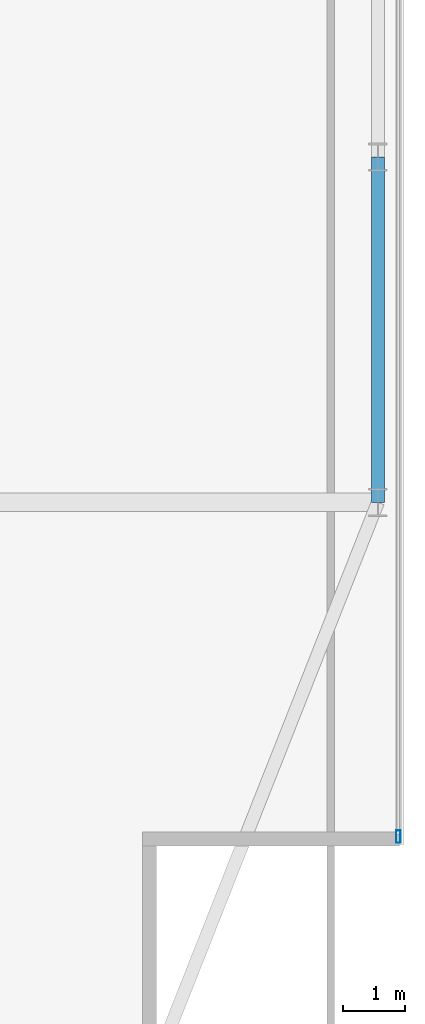
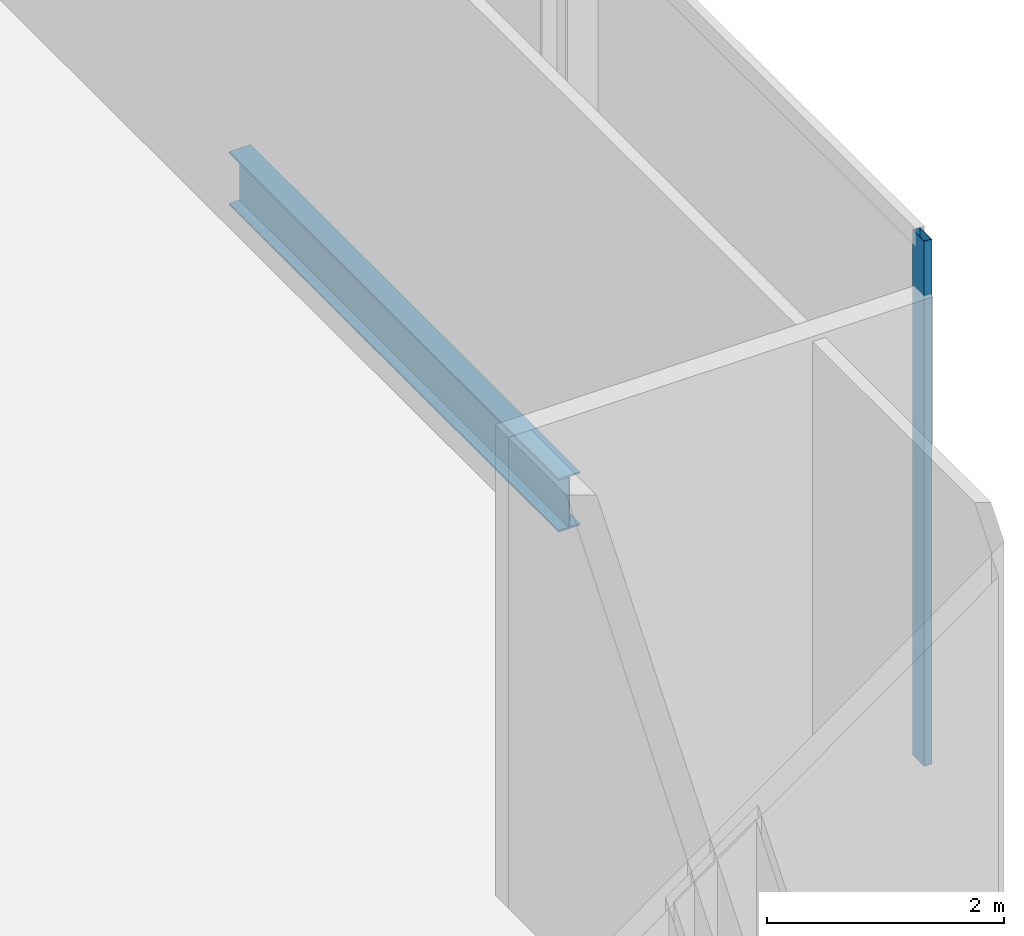
# One storey, part 15 of 26: 1 beam, 1 member, 1 element without a shape of its own.
"""IFC4 building model written with IfcOpenShell, lengths in metres."""

import ifcopenshell
import ifcopenshell.guid

model = None  # the IFC model being written
_history = None  # IfcOwnerHistory: only IFC2X3 demands one
_inside = {}  # id of a spatial element -> (the spatial element, [elements in it])
_under = {}  # id of a project, library or spatial element -> (it, [spatial elements below it])
_declared = {}  # id of a project -> (the project, [libraries it declares])
_typed = {}  # id of a type object -> (the type object, [elements of that type])
_made_of = {}  # id of a material, layer set ... -> (it, [elements and type objects made of it])


def new_model(schema):
    """Start an empty IFC model of exactly this schema.

    Asked for "IFC4X3", IfcOpenShell would pick the latest addendum, in which some entities
    have other attributes; the version numbers below select the first issue.
    IFC2X3 requires an IfcOwnerHistory on every rooted entity: one is made here for all.
    """
    global model, _history
    if schema == "IFC4X3":
        model = ifcopenshell.file(schema_version=(4, 3, 0, 0))
    else:
        model = ifcopenshell.file(schema=schema)
    _inside.clear()
    _under.clear()
    _declared.clear()
    _typed.clear()
    _made_of.clear()
    _history = None
    if model.schema == "IFC2X3":
        org = make("IfcOrganization", Name="unknown")
        user = make(
            "IfcPersonAndOrganization",
            ThePerson=make("IfcPerson", FamilyName="unknown"),
            TheOrganization=org,
        )
        app = make(
            "IfcApplication",
            ApplicationDeveloper=org,
            Version="unknown",
            ApplicationFullName="unknown",
            ApplicationIdentifier="unknown",
        )
        _history = make(
            "IfcOwnerHistory",
            OwningUser=user,
            OwningApplication=app,
            ChangeAction="ADDED",
            CreationDate=0,
        )
    return model


def make(cls, **values):
    """One entity of the class cls with the attributes given. An attribute that is None is left unset."""
    return model.create_entity(
        cls, **{name: value for name, value in values.items() if value is not None}
    )


def rooted(cls, **values):
    """An entity with a GlobalId (a new one), such as an element, a storey or a relation."""
    return make(cls, GlobalId=ifcopenshell.guid.new(), OwnerHistory=_history, **values)


def si_unit(unit_type, name, prefix=None):
    """IfcSIUnit, for example si_unit("LENGTHUNIT", "METRE", prefix="MILLI")."""
    return make("IfcSIUnit", UnitType=unit_type, Prefix=prefix, Name=name)


def assignment(units):
    """IfcUnitAssignment: the units of a project."""
    return None if units is None else make("IfcUnitAssignment", Units=units)


def point(xyz):
    """IfcCartesianPoint."""
    return None if xyz is None else make("IfcCartesianPoint", Coordinates=xyz)


def direction(xyz):
    """IfcDirection."""
    return None if xyz is None else make("IfcDirection", DirectionRatios=xyz)


def frame(location, z_axis=None, x_axis=None):
    """IfcAxis2Placement3D, a coordinate frame: its origin and axes. An axis left out is left unset."""
    return make(
        "IfcAxis2Placement3D",
        Location=point(location),
        Axis=direction(z_axis),
        RefDirection=direction(x_axis),
    )


def frame_2d(location, x_axis=None):
    """IfcAxis2Placement2D, a coordinate frame in the plane: its origin and x axis."""
    return make(
        "IfcAxis2Placement2D", Location=point(location), RefDirection=direction(x_axis)
    )


def origin():
    """The frame at (0, 0, 0) with its axes left unset."""
    return frame((0.0, 0.0, 0.0))


def origin_2d():
    """The frame at (0, 0) in the plane with its x axis left unset."""
    return frame_2d((0.0, 0.0))


def place(relative_to, where):
    """IfcLocalPlacement: puts the frame where relative to a parent placement (None: the world)."""
    return make(
        "IfcLocalPlacement", PlacementRelTo=relative_to, RelativePlacement=where
    )


def context(
    kind, dimensions, precision=None, world=None, true_north=None, identifier=None
):
    """IfcGeometricRepresentationContext, for example the 3D "Model" context."""
    return make(
        "IfcGeometricRepresentationContext",
        ContextIdentifier=identifier,
        ContextType=kind,
        CoordinateSpaceDimension=dimensions,
        Precision=precision,
        WorldCoordinateSystem=world,
        TrueNorth=true_north,
    )


def subcontext(parent, identifier, kind, view, scale=None):
    """IfcGeometricRepresentationSubContext, for example "Body" below "Model"."""
    return make(
        "IfcGeometricRepresentationSubContext",
        ContextIdentifier=identifier,
        ContextType=kind,
        ParentContext=parent,
        TargetScale=scale,
        TargetView=view,
    )


def project(units=None, contexts=None):
    """IfcProject with its units and contexts."""
    return rooted(
        "IfcProject",
        Name="project",
        RepresentationContexts=contexts,
        UnitsInContext=assignment(units),
    )


def spatial(cls, under=None, at=None, **own):
    """A site, building, storey or space (cls), placed at a placement, below another one or the project."""
    s = rooted(cls, ObjectPlacement=at, **own)
    if under is not None:
        _under.setdefault(under.id(), (under, []))[1].append(s)
    return s


def profile(cls, at=None, kind="AREA", **sizes):
    """A parametric profile (cls). Its sizes go by their IFC names, for example OverallWidth=200.0."""
    return make(cls, ProfileType=kind, Position=at, **sizes)


def hollow_rectangle(**sizes):
    """IfcRectangleHollowProfileDef."""
    return profile("IfcRectangleHollowProfileDef", **sizes)


def i_section(**sizes):
    """IfcIShapeProfileDef."""
    return profile("IfcIShapeProfileDef", **sizes)


def extrude(swept, where, along, depth):
    """IfcExtrudedAreaSolid: the profile swept, set in the frame where, extruded along a direction by depth."""
    return make(
        "IfcExtrudedAreaSolid",
        SweptArea=swept,
        Position=where,
        ExtrudedDirection=direction(along),
        Depth=depth,
    )


def shape(context_of_items, identifier, shape_type, items):
    """IfcShapeRepresentation: the items that make up one representation, for example the "Body"."""
    return make(
        "IfcShapeRepresentation",
        ContextOfItems=context_of_items,
        RepresentationIdentifier=identifier,
        RepresentationType=shape_type,
        Items=items,
    )


def material(Name=None, Category=None):
    """IfcMaterial."""
    return make("IfcMaterial", Name=Name, Category=Category)


def material_profile(
    of_material, cross_section, Name=None, Category=None, Priority=None
):
    """IfcMaterialProfile: a cross section and its material."""
    return make(
        "IfcMaterialProfile",
        Name=Name,
        Material=of_material,
        Profile=cross_section,
        Priority=Priority,
        Category=Category,
    )


def profile_set(profiles, Name=None, composite=None):
    """IfcMaterialProfileSet."""
    return make(
        "IfcMaterialProfileSet",
        Name=Name,
        MaterialProfiles=profiles,
        CompositeProfile=composite,
    )


def made_of(thing, what):
    """Note that an element or type object is made of a material, layer set ...; save() writes the relation."""
    if what is not None:
        _made_of.setdefault(what.id(), (what, []))[1].append(thing)
    return thing


def type_object(cls, material=None, **own):
    """A type object (cls), such as IfcWallType, which elements share."""
    return made_of(rooted(cls, **own), material)


def element(
    cls,
    number,
    at=None,
    inside=None,
    cuts=None,
    type_object=None,
    material=None,
    context=None,
    identifier="Body",
    shape_type=None,
    held_by="IfcProductDefinitionShape",
    body=None,
    shapes=None,
    **own,
):
    """One element of the class cls, such as IfcWall. Its Tag is "e" and its number.

    at: its placement. inside: the storey or other place that contains it. cuts: it is an
    opening in that element (IfcRelVoidsElement). A single representation is given by context,
    identifier, shape_type and body (its items); several are given by shapes. held_by: the class
    of the entity that holds the representations. save() writes the other relations.
    """
    e = rooted(cls, Tag="e%d" % number, ObjectPlacement=at, **own)
    if body is not None:
        shapes = [shape(context, identifier, shape_type, body)]
    if shapes is not None:
        e.Representation = make(held_by, Representations=shapes)
    if inside is not None:
        _inside.setdefault(inside.id(), (inside, []))[1].append(e)
    if cuts is not None:
        rooted(
            "IfcRelVoidsElement", RelatingBuildingElement=cuts, RelatedOpeningElement=e
        )
    if type_object is not None:
        _typed.setdefault(type_object.id(), (type_object, []))[1].append(e)
    return made_of(e, material)


def aggregate(whole, parts):
    """IfcRelAggregates: a whole, such as a stair, and the parts it consists of."""
    return rooted("IfcRelAggregates", RelatingObject=whole, RelatedObjects=parts)


def save(model, path):
    """Write the relations noted so far, then the file.

    IfcRelAggregates (storeys below a building ...), IfcRelContainedInSpatialStructure (elements
    in a storey), IfcRelDefinesByType, IfcRelAssociatesMaterial and IfcRelDeclares: one each for
    every whole, place, type object, material and project.
    """
    for whole, parts in _under.values():
        aggregate(whole, parts)
    for where, things in _inside.values():
        rooted(
            "IfcRelContainedInSpatialStructure",
            RelatedElements=things,
            RelatingStructure=where,
        )
    for kind, things in _typed.values():
        rooted("IfcRelDefinesByType", RelatedObjects=things, RelatingType=kind)
    for what, things in _made_of.values():
        rooted("IfcRelAssociatesMaterial", RelatedObjects=things, RelatingMaterial=what)
    for by, libraries in _declared.values():
        rooted("IfcRelDeclares", RelatingContext=by, RelatedDefinitions=libraries)
    model.write(path)


model = new_model("IFC4")

# Units and contexts
model_context = context("Model", 3, precision=1e-05, world=origin(), true_north=direction((0.0, 1.0)))
body_context = subcontext(model_context, "Body", "Model", "MODEL_VIEW")
ifc_project = project(units=[si_unit("LENGTHUNIT", "METRE"), si_unit("AREAUNIT", "SQUARE_METRE"), si_unit("VOLUMEUNIT", "CUBIC_METRE"), si_unit("PLANEANGLEUNIT", "RADIAN"), si_unit("MASSUNIT", "GRAM", prefix="KILO")], contexts=[model_context])

# Site, building, storey
site_placement = place(None, origin())
site = spatial("IfcSite", under=ifc_project, at=site_placement, CompositionType="ELEMENT")
building_placement = place(site_placement, origin())
building = spatial("IfcBuilding", under=site, at=building_placement, Name="Khoronbel Lancet Exchange", CompositionType="ELEMENT")
storey_placement = place(building_placement, frame((0.0, 0.0, 350.60009765625)))
storey = spatial("IfcBuildingStorey", under=building, at=storey_placement, Name="L91", CompositionType="ELEMENT", Elevation=350.60009765625)

# Beam
ifc_material_1 = material(Name="Steel S355", Category="steel")
ifc_material_profile_1 = material_profile(ifc_material_1, i_section(OverallWidth=0.2099609375, OverallDepth=0.550048828125, WebThickness=0.010986328125, FlangeThickness=0.01708984375, at=origin_2d()), Name="IPE 550")
ifc_profile_set_1 = profile_set([ifc_material_profile_1], Name="Steel S355")
beam_type = type_object("IfcBeamType", Name="BM-BSP3", PredefinedType="SPANDREL", material=ifc_profile_set_1)
beam_placement = place(storey_placement, frame((61.6298828125, 19.199951171875, -0.4951171875), z_axis=(0.0, 1.0, 0.0), x_axis=(-1.0, 0.0, 0.0)))
element("IfcBeam", 1, at=beam_placement, inside=storey, type_object=beam_type, Name="Level L91 perimeter spandrel beam SP09", PredefinedType="SPANDREL", context=body_context, shape_type="SweptSolid", body=[
    extrude(i_section(OverallWidth=0.2099609375, OverallDepth=0.550048828125, WebThickness=0.010986328125, FlangeThickness=0.01708984375, at=origin_2d()), origin(), (0.0, 0.0, 1.0), 5.550048828125),
])

# Curtain wall, member
ifc_material_2 = material(Name="Low-E Solar Control Insulating Glass", Category="glass")
curtain_wall_type = type_object("IfcCurtainWallType", Name="CW-6", PredefinedType="NOTDEFINED", material=ifc_material_2)
curtain_wall_placement = place(storey_placement, origin())
curtain_wall = element("IfcCurtainWall", 2, at=curtain_wall_placement, inside=storey, type_object=curtain_wall_type, Name="Unitised curtain wall CW-L91-E09", PredefinedType="NOTDEFINED")
ifc_material_3 = material(Name="Bronze-Anodised Aluminium 6063-T6", Category="aluminium")
ifc_material_profile_2 = material_profile(ifc_material_3, hollow_rectangle(XDim=0.074951171875, YDim=0.199951171875, WallThickness=0.0048828125, at=origin_2d()), Name="ALU MULLION 75x200")
ifc_profile_set_2 = profile_set([ifc_material_profile_2], Name="Bronze-Anodised Aluminium 6063-T6")
member_type = type_object("IfcMemberType", Name="MEM-CWM2", PredefinedType="MULLION", material=ifc_profile_set_2)
member_placement = place(storey_placement, frame((61.9599609375, 13.827392578125, 0.0), z_axis=(0.0, 0.0, 1.0), x_axis=(1.0, 0.0, 0.0)))
member = element("IfcMember", 3, at=member_placement, type_object=member_type, Name="CW6 mullion 3", PredefinedType="MULLION", context=body_context, shape_type="SweptSolid", body=[
    extrude(hollow_rectangle(XDim=0.074951171875, YDim=0.199951171875, WallThickness=0.0048828125, at=origin_2d()), origin(), (0.0, 0.0, 1.0), 5.39990234375),
])
aggregate(curtain_wall, [member])

save(model, "model.ifc")
